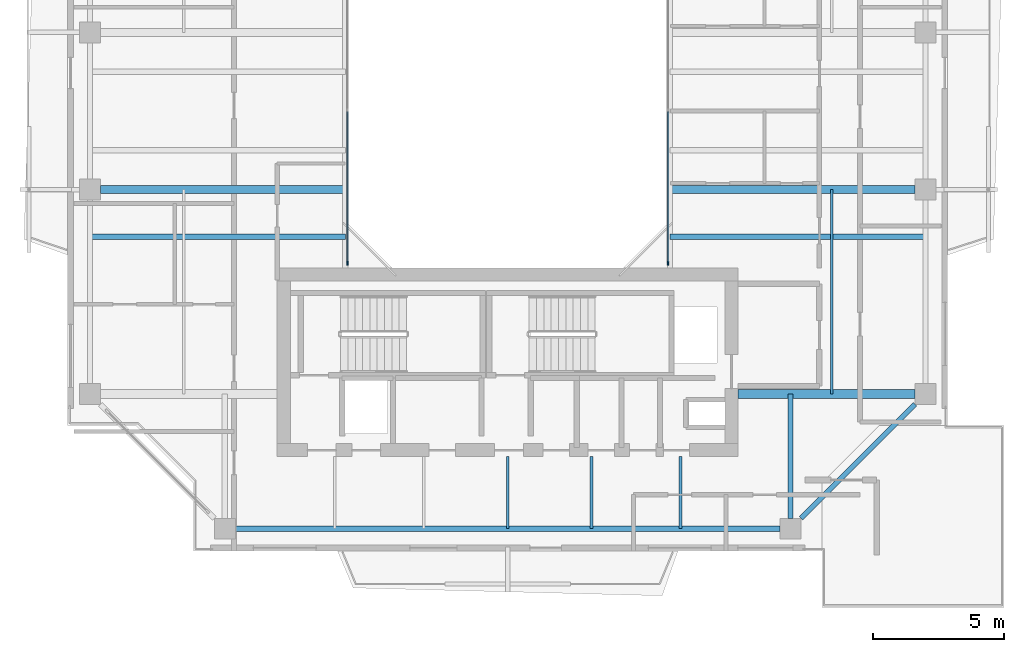
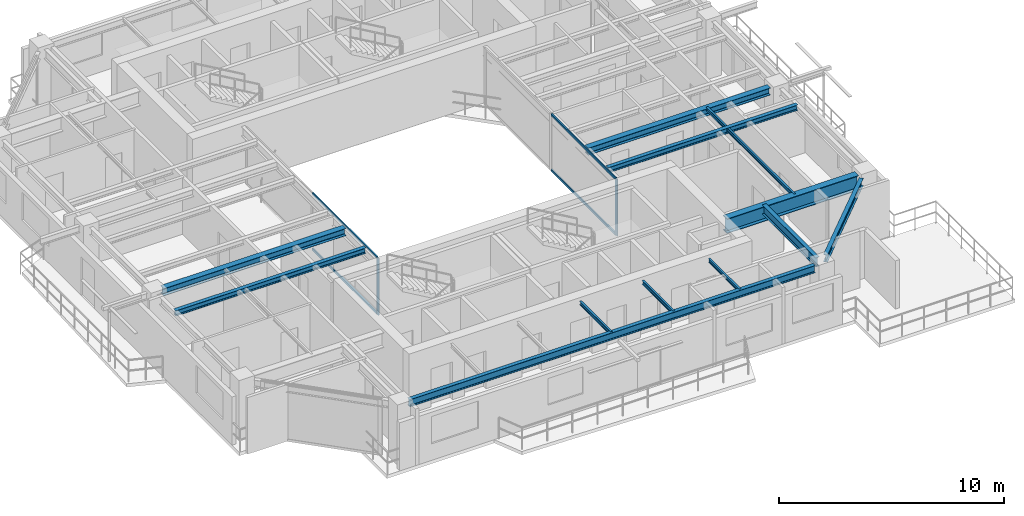
# One storey, part 4 of 16: 12 beams, 6 members, 2 elements without a shape of their own.
"""IFC4 building model written with IfcOpenShell, lengths in metres."""

from ifc_helpers import new_model, si_unit, direction, frame, origin, origin_2d, place, context, subcontext, project, spatial, rectangle, i_section, extrude, source, transform, mapped, material, layer, layer_set, material_profile, profile_set, type_object, element, aggregate, save


model = new_model("IFC4")

# Units and contexts
model_context = context("Model", 3, precision=1e-05, world=origin(), true_north=direction((0.0, 1.0)))
body_context = subcontext(model_context, "Body", "Model", "MODEL_VIEW")
ifc_project = project(units=[si_unit("LENGTHUNIT", "METRE"), si_unit("AREAUNIT", "SQUARE_METRE"), si_unit("VOLUMEUNIT", "CUBIC_METRE"), si_unit("PLANEANGLEUNIT", "RADIAN"), si_unit("MASSUNIT", "GRAM", prefix="KILO"), si_unit("THERMODYNAMICTEMPERATUREUNIT", "KELVIN"), si_unit("POWERUNIT", "WATT")], contexts=[model_context])

# Site, building, storey
site_placement = place(None, origin())
site = spatial("IfcSite", under=ifc_project, at=site_placement, CompositionType="ELEMENT")
building_placement = place(site_placement, origin())
building = spatial("IfcBuilding", under=site, at=building_placement, Name="Qiaomeng Ring Towers", CompositionType="ELEMENT")
storey_placement = place(building_placement, frame((0.0, 0.0, 203.5)))
storey = spatial("IfcBuildingStorey", under=building, at=storey_placement, Name="L59", CompositionType="ELEMENT", Elevation=203.5)

# Beams
ifc_material_1 = material(Name="Steel Q355B", Category="steel")
ifc_material_profile_1 = material_profile(ifc_material_1, i_section(OverallWidth=0.198974609375, OverallDepth=0.39599609375, WebThickness=0.007080078125, FlangeThickness=0.010986328125, FilletRadius=0.01611328125, at=origin_2d()), Name="HN 396x199x7x11")
ifc_profile_set_1 = profile_set([ifc_material_profile_1], Name="Steel Q355B")
beam_type_1 = type_object("IfcBeamType", Name="STR-BM-HN396", PredefinedType="SPANDREL", material=ifc_profile_set_1)
shared_shape_1 = source(origin(), body_context, "Body", "SweptSolid", [
    extrude(i_section(OverallWidth=0.198974609375, OverallDepth=0.39599609375, WebThickness=0.007080078125, FlangeThickness=0.010986328125, FilletRadius=0.01611328125, at=origin_2d()), origin(), (0.0, 0.0, 1.0), 20.8017578125),
])
beam_1_placement = place(storey_placement, frame((8.59912109375, 7.050048828125, 2.8720703125), z_axis=(1.0, 0.0, 0.0), x_axis=(0.0, 1.0, 0.0)))
element("IfcBeam", 1, at=beam_1_placement, inside=storey, type_object=beam_type_1, Name="L59 beam STR-SP-L59-T1-S1-S2", PredefinedType="SPANDREL", context=body_context, shape_type="MappedRepresentation", body=[
    mapped(shared_shape_1, transform((0.0, 0.0, 0.0), x_axis=(1.0, 0.0, 0.0), y_axis=(0.0, 1.0, 0.0), z_axis=(0.0, 0.0, 1.0), scale=1.0)),
])
shared_shape_2 = source(origin(), body_context, "Body", "SweptSolid", [
    extrude(i_section(OverallWidth=0.198974609375, OverallDepth=0.39599609375, WebThickness=0.007080078125, FlangeThickness=0.010986328125, FilletRadius=0.01611328125, at=origin_2d()), origin(), (0.0, 0.0, 1.0), 6.154052734375),
])
beam_2_placement = place(storey_placement, frame((30.19921875, 7.44921875, 2.8720703125), z_axis=(0.707106781187, 0.707106781187, 0.0), x_axis=(-0.707106781187, 0.707106781187, 0.0)))
element("IfcBeam", 2, at=beam_2_placement, inside=storey, type_object=beam_type_1, Name="L59 beam STR-SP-L59-T1-S2-E1", PredefinedType="SPANDREL", context=body_context, shape_type="MappedRepresentation", body=[
    mapped(shared_shape_2, transform((0.0, 0.0, 0.0), x_axis=(1.0, 0.0, 0.0), y_axis=(0.0, 1.0, 0.0), z_axis=(0.0, 0.0, 1.0), scale=1.0)),
])
ifc_material_2 = material(Name="Steel Q390GJC", Category="steel")
ifc_material_profile_2 = material_profile(ifc_material_2, i_section(OverallWidth=0.35009765625, OverallDepth=0.800048828125, WebThickness=0.01611328125, FlangeThickness=0.028076171875, at=origin_2d()), Name="WH 800x350x16x28")
ifc_profile_set_2 = profile_set([ifc_material_profile_2], Name="Steel Q390GJC")
beam_type_2 = type_object("IfcBeamType", Name="STR-BM-WH800", PredefinedType="BEAM", material=ifc_profile_set_2)
shared_shape_3 = source(origin(), body_context, "Body", "SweptSolid", [
    extrude(i_section(OverallWidth=0.35009765625, OverallDepth=0.800048828125, WebThickness=0.01611328125, FlangeThickness=0.028076171875, at=origin_2d()), origin(), (0.0, 0.0, 1.0), 6.7509765625),
])
beam_3_placement = place(storey_placement, frame((27.800048828125, 12.199951171875, 2.669921875), z_axis=(1.0, 0.0, 0.0), x_axis=(0.0, 1.0, 0.0)))
element("IfcBeam", 3, at=beam_3_placement, inside=storey, type_object=beam_type_2, Name="L59 beam STR-BM-L59-T1-RAD-E1", PredefinedType="BEAM", context=body_context, shape_type="MappedRepresentation", body=[
    mapped(shared_shape_3, transform((0.0, 0.0, 0.0), x_axis=(1.0, 0.0, 0.0), y_axis=(0.0, 1.0, 0.0), z_axis=(0.0, 0.0, 1.0), scale=1.0)),
])
ifc_material_profile_3 = material_profile(ifc_material_1, i_section(OverallWidth=0.199951171875, OverallDepth=0.5, WebThickness=0.010009765625, FlangeThickness=0.01611328125, FilletRadius=0.02001953125, at=origin_2d()), Name="HN 500x200x10x16")
ifc_profile_set_3 = profile_set([ifc_material_profile_3], Name="Steel Q355B")
beam_type_3 = type_object("IfcBeamType", Name="STR-BM-HN500", PredefinedType="BEAM", material=ifc_profile_set_3)
shared_shape_4 = source(origin(), body_context, "Body", "SweptSolid", [
    extrude(i_section(OverallWidth=0.199951171875, OverallDepth=0.5, WebThickness=0.010009765625, FlangeThickness=0.01611328125, FilletRadius=0.02001953125, at=origin_2d()), origin(), (0.0, 0.0, 1.0), 4.7509765625),
])
beam_4_placement = place(storey_placement, frame((29.800048828125, 7.448974609375, 2.820068359375), z_axis=(0.0, 1.0, 0.0), x_axis=(-1.0, 0.0, 0.0)))
element("IfcBeam", 4, at=beam_4_placement, inside=storey, type_object=beam_type_3, Name="L59 beam STR-BM-L59-T1-RAD-S2", PredefinedType="BEAM", context=body_context, shape_type="MappedRepresentation", body=[
    mapped(shared_shape_4, transform((0.0, 0.0, 0.0), x_axis=(1.0, 0.0, 0.0), y_axis=(0.0, 1.0, 0.0), z_axis=(0.0, 0.0, 1.0), scale=1.0)),
])
ifc_material_profile_4 = material_profile(ifc_material_1, i_section(OverallWidth=0.300048828125, OverallDepth=0.389892578125, WebThickness=0.010009765625, FlangeThickness=0.01611328125, FilletRadius=0.02197265625, at=origin_2d()), Name="HM 390x300x10x16")
ifc_profile_set_4 = profile_set([ifc_material_profile_4], Name="Steel Q355B")
beam_type_4 = type_object("IfcBeamType", Name="STR-BM-HM390", PredefinedType="BEAM", material=ifc_profile_set_4)
shared_shape_5 = source(origin(), body_context, "Body", "SweptSolid", [
    extrude(i_section(OverallWidth=0.300048828125, OverallDepth=0.389892578125, WebThickness=0.010009765625, FlangeThickness=0.01611328125, FilletRadius=0.02197265625, at=origin_2d()), origin(), (0.0, 0.0, 1.0), 9.35107421875),
])
for number, where, z_axis, x_axis, name in (
    (5, (3.448974609375, 20.0, 2.875), (1.0, 0.0, 0.0), (0.0, 1.0, 0.0), "L59 beam STR-BM-L59-T1-RAD-W2"),
    (6, (25.199951171875, 20.0, 2.875), (1.0, 0.0, 0.0), (0.0, 1.0, 0.0), "L59 beam STR-BM-L59-T1-RAD-E2"),
):
    element("IfcBeam", number, at=place(storey_placement, frame(where, z_axis=z_axis, x_axis=x_axis)), inside=storey, type_object=beam_type_4, Name=name, PredefinedType="BEAM", context=body_context, shape_type="MappedRepresentation", body=[
        mapped(shared_shape_5, transform((0.0, 0.0, 0.0), x_axis=(1.0, 0.0, 0.0), y_axis=(0.0, 1.0, 0.0), z_axis=(0.0, 0.0, 1.0), scale=1.0)),
    ])
ifc_material_profile_5 = material_profile(ifc_material_1, i_section(OverallWidth=0.10009765625, OverallDepth=0.199951171875, WebThickness=0.005615234375, FlangeThickness=0.008056640625, FilletRadius=0.010986328125, at=origin_2d()), Name="HN 200x100x5.5x8")
ifc_profile_set_5 = profile_set([ifc_material_profile_5], Name="Steel Q355B")
beam_type_5 = type_object("IfcBeamType", Name="STR-BM-HN200", PredefinedType="JOIST", material=ifc_profile_set_5)
shared_shape_6 = source(origin(), body_context, "Body", "SweptSolid", [
    extrude(i_section(OverallWidth=0.10009765625, OverallDepth=0.199951171875, WebThickness=0.005615234375, FlangeThickness=0.008056640625, FilletRadius=0.010986328125, at=origin_2d()), origin(), (0.0, 0.0, 1.0), 2.75),
])
for number, where, z_axis, x_axis, name in (
    (7, (19.0, 7.050048828125, 2.969970703125), (0.0, 1.0, 0.0), (-1.0, 0.0, 0.0), "L59 beam STR-JST-L59-T1S-3"),
    (8, (22.199951171875, 7.050048828125, 2.969970703125), (0.0, 1.0, 0.0), (-1.0, 0.0, 0.0), "L59 beam STR-JST-L59-T1S-4"),
    (9, (25.60009765625, 7.050048828125, 2.969970703125), (0.0, 1.0, 0.0), (-1.0, 0.0, 0.0), "L59 beam STR-JST-L59-T1S-5"),
):
    element("IfcBeam", number, at=place(storey_placement, frame(where, z_axis=z_axis, x_axis=x_axis)), inside=storey, type_object=beam_type_5, Name=name, PredefinedType="JOIST", context=body_context, shape_type="MappedRepresentation", body=[
        mapped(shared_shape_6, transform((0.0, 0.0, 0.0), x_axis=(1.0, 0.0, 0.0), y_axis=(0.0, 1.0, 0.0), z_axis=(0.0, 0.0, 1.0), scale=1.0)),
    ])
ifc_material_profile_6 = material_profile(ifc_material_1, i_section(OverallWidth=0.199951171875, OverallDepth=0.2939453125, WebThickness=0.008056640625, FlangeThickness=0.011962890625, FilletRadius=0.01806640625, at=origin_2d()), Name="HM 294x200x8x12")
ifc_profile_set_6 = profile_set([ifc_material_profile_6], Name="Steel Q355B")
beam_type_6 = type_object("IfcBeamType", Name="STR-BM-HM294", PredefinedType="JOIST", material=ifc_profile_set_6)
shared_shape_7 = source(origin(), body_context, "Body", "SweptSolid", [
    extrude(i_section(OverallWidth=0.199951171875, OverallDepth=0.2939453125, WebThickness=0.008056640625, FlangeThickness=0.011962890625, FilletRadius=0.01806640625, at=origin_2d()), origin(), (0.0, 0.0, 1.0), 9.75),
])
for number, where, z_axis, x_axis, name in (
    (10, (3.050048828125, 18.199951171875, 2.923095703125), (1.0, 0.0, 0.0), (0.0, 1.0, 0.0), "L59 beam STR-JST-L59-T1W-1"),
    (11, (25.199951171875, 18.199951171875, 2.923095703125), (1.0, 0.0, 0.0), (0.0, 1.0, 0.0), "L59 beam STR-JST-L59-T1E-1"),
):
    element("IfcBeam", number, at=place(storey_placement, frame(where, z_axis=z_axis, x_axis=x_axis)), inside=storey, type_object=beam_type_6, Name=name, PredefinedType="JOIST", context=body_context, shape_type="MappedRepresentation", body=[
        mapped(shared_shape_7, transform((0.0, 0.0, 0.0), x_axis=(1.0, 0.0, 0.0), y_axis=(0.0, 1.0, 0.0), z_axis=(0.0, 0.0, 1.0), scale=1.0)),
    ])
shared_shape_8 = source(origin(), body_context, "Body", "SweptSolid", [
    extrude(i_section(OverallWidth=0.10009765625, OverallDepth=0.199951171875, WebThickness=0.005615234375, FlangeThickness=0.008056640625, FilletRadius=0.010986328125, at=origin_2d()), origin(), (0.0, 0.0, 1.0), 7.800048828125),
])
beam_5_placement = place(storey_placement, frame((31.375, 12.199951171875, 2.969970703125), z_axis=(0.0, 1.0, 0.0), x_axis=(-1.0, 0.0, 0.0)))
element("IfcBeam", 12, at=beam_5_placement, inside=storey, type_object=beam_type_5, Name="L59 beam STR-JST-L59-T1C-ES", PredefinedType="JOIST", context=body_context, shape_type="MappedRepresentation", body=[
    mapped(shared_shape_8, transform((0.0, 0.0, 0.0), x_axis=(1.0, 0.0, 0.0), y_axis=(0.0, 1.0, 0.0), z_axis=(0.0, 0.0, 1.0), scale=1.0)),
])

# Curtain wall, member
ifc_material_3 = material(Name="Fluorocarbon dark-grey aluminium", Category="aluminium")
ifc_layer = layer(ifc_material_3, 0.139892578125, Name="Fluorocarbon dark-grey aluminium")
ifc_layer_set = layer_set([ifc_layer], Name="Fluorocarbon dark-grey aluminium")
curtain_wall_type = type_object("IfcCurtainWallType", Name="ARC-CW-4", PredefinedType="NOTDEFINED", material=ifc_layer_set)
curtain_wall_1_placement = place(storey_placement, origin())
curtain_wall_1 = element("IfcCurtainWall", 13, at=curtain_wall_1_placement, inside=storey, type_object=curtain_wall_type, Name="L59 Curtain Wall CW4", PredefinedType="NOTDEFINED")
ifc_material_profile_7 = material_profile(ifc_material_3, rectangle(XDim=0.06494140625, YDim=0.159912109375, at=origin_2d()), Name="ALU MULL 65x160")
ifc_profile_set_7 = profile_set([ifc_material_profile_7], Name="Fluorocarbon dark-grey aluminium")
member_type_1 = type_object("IfcMemberType", Name="ARC-CWM-140", PredefinedType="MULLION", material=ifc_profile_set_7)
shared_shape_9 = source(origin(), body_context, "Body", "SweptSolid", [
    extrude(rectangle(XDim=0.06494140625, YDim=0.159912109375, at=origin_2d()), origin(), (0.0, 0.0, 1.0), 3.070068359375),
])
member_1_placement = place(storey_placement, frame((12.8798828125, 17.1826171875, 0.0), z_axis=(0.0, 0.0, 1.0), x_axis=(-1.0, 0.0, 0.0)))
member_1 = element("IfcMember", 14, at=member_1_placement, type_object=member_type_1, Name="CW4 mullion 1", PredefinedType="MULLION", context=body_context, shape_type="MappedRepresentation", body=[
    mapped(shared_shape_9, transform((0.0, 0.0, 0.0), x_axis=(1.0, 0.0, 0.0), y_axis=(0.0, 1.0, 0.0), z_axis=(0.0, 0.0, 1.0), scale=1.0)),
])

curtain_wall_2_placement = place(storey_placement, origin())
curtain_wall_2 = element("IfcCurtainWall", 15, at=curtain_wall_2_placement, inside=storey, type_object=curtain_wall_type, Name="L59 Curtain Wall CW4", PredefinedType="NOTDEFINED")
member_2_placement = place(storey_placement, frame((25.1201171875, 17.1826171875, 0.0), z_axis=(0.0, 0.0, 1.0), x_axis=(-1.0, 0.0, 0.0)))
member_2 = element("IfcMember", 16, at=member_2_placement, type_object=member_type_1, Name="CW4 mullion 1", PredefinedType="MULLION", context=body_context, shape_type="MappedRepresentation", body=[
    mapped(shared_shape_9, transform((0.0, 0.0, 0.0), x_axis=(1.0, 0.0, 0.0), y_axis=(0.0, 1.0, 0.0), z_axis=(0.0, 0.0, 1.0), scale=1.0)),
])

# Member
ifc_material_profile_8 = material_profile(ifc_material_3, rectangle(XDim=0.06494140625, YDim=0.1298828125, at=origin_2d()), Name="ALU TRAN 65x130")
ifc_profile_set_8 = profile_set([ifc_material_profile_8], Name="Fluorocarbon dark-grey aluminium")
member_type_2 = type_object("IfcMemberType", Name="ARC-CWT-120", PredefinedType="USERDEFINED", material=ifc_profile_set_8)
shared_shape_10 = source(origin(), body_context, "Body", "SweptSolid", [
    extrude(rectangle(XDim=0.06494140625, YDim=0.1298828125, at=origin_2d()), origin(), (0.0, 0.0, 1.0), 5.75244140625),
])
member_3_placement = place(storey_placement, frame((12.8798828125, 17.215087890625, 0.032470703125), z_axis=(0.0, 1.0, 0.0), x_axis=(-1.0, 0.0, 0.0)))
member_3 = element("IfcMember", 17, at=member_3_placement, type_object=member_type_2, Name="CW4 transom 1.1", ObjectType="TRANSOM", PredefinedType="USERDEFINED", context=body_context, shape_type="MappedRepresentation", body=[
    mapped(shared_shape_10, transform((0.0, 0.0, 0.0), x_axis=(1.0, 0.0, 0.0), y_axis=(0.0, 1.0, 0.0), z_axis=(0.0, 0.0, 1.0), scale=1.0)),
])

member_4_placement = place(storey_placement, frame((12.8798828125, 17.215087890625, 3.03759765625), z_axis=(0.0, 1.0, 0.0), x_axis=(-1.0, 0.0, 0.0)))
member_4 = element("IfcMember", 18, at=member_4_placement, type_object=member_type_2, Name="CW4 transom 1.2", ObjectType="TRANSOM", PredefinedType="USERDEFINED", context=body_context, shape_type="MappedRepresentation", body=[
    mapped(shared_shape_10, transform((0.0, 0.0, 0.0), x_axis=(1.0, 0.0, 0.0), y_axis=(0.0, 1.0, 0.0), z_axis=(0.0, 0.0, 1.0), scale=1.0)),
])

aggregate(curtain_wall_1, [member_1, member_3, member_4])

member_5_placement = place(storey_placement, frame((25.1201171875, 17.215087890625, 0.032470703125), z_axis=(0.0, 1.0, 0.0), x_axis=(-1.0, 0.0, 0.0)))
member_5 = element("IfcMember", 19, at=member_5_placement, type_object=member_type_2, Name="CW4 transom 1.1", ObjectType="TRANSOM", PredefinedType="USERDEFINED", context=body_context, shape_type="MappedRepresentation", body=[
    mapped(shared_shape_10, transform((0.0, 0.0, 0.0), x_axis=(1.0, 0.0, 0.0), y_axis=(0.0, 1.0, 0.0), z_axis=(0.0, 0.0, 1.0), scale=1.0)),
])

member_6_placement = place(storey_placement, frame((25.1201171875, 17.215087890625, 3.03759765625), z_axis=(0.0, 1.0, 0.0), x_axis=(-1.0, 0.0, 0.0)))
member_6 = element("IfcMember", 20, at=member_6_placement, type_object=member_type_2, Name="CW4 transom 1.2", ObjectType="TRANSOM", PredefinedType="USERDEFINED", context=body_context, shape_type="MappedRepresentation", body=[
    mapped(shared_shape_10, transform((0.0, 0.0, 0.0), x_axis=(1.0, 0.0, 0.0), y_axis=(0.0, 1.0, 0.0), z_axis=(0.0, 0.0, 1.0), scale=1.0)),
])

aggregate(curtain_wall_2, [member_2, member_5, member_6])

save(model, "model.ifc")
